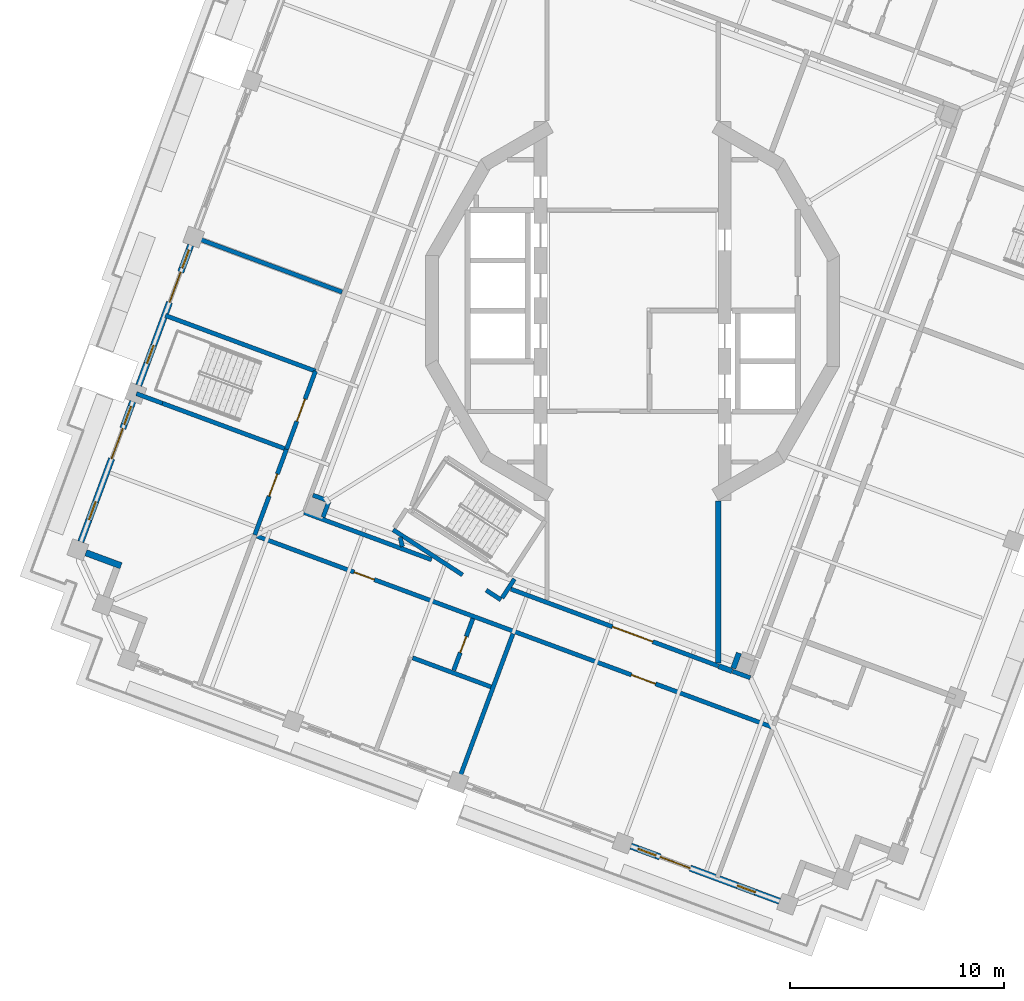
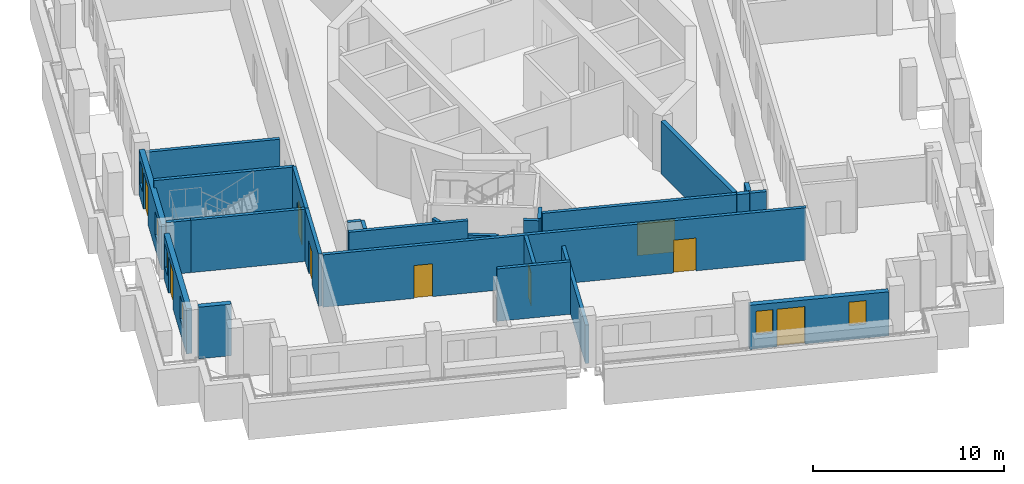
# One storey, part 4 of 18: 26 walls, 9 doors, 6 windows, 15 openings.
"""IFC4 building model written with IfcOpenShell, lengths in metres."""

from ifc_helpers import new_model, si_unit, direction, frame, frame_2d, origin, place, context, subcontext, project, spatial, rectangle, extrude, material, layer, layer_set, type_object, element, fill, save


model = new_model("IFC4")

# Units and contexts
model_context = context("Model", 3, precision=1e-05, world=origin(), true_north=direction((0.0, 1.0)))
body_context = subcontext(model_context, "Body", "Model", "MODEL_VIEW")
ifc_project = project(units=[si_unit("LENGTHUNIT", "METRE"), si_unit("AREAUNIT", "SQUARE_METRE"), si_unit("VOLUMEUNIT", "CUBIC_METRE"), si_unit("PLANEANGLEUNIT", "RADIAN"), si_unit("MASSUNIT", "GRAM", prefix="KILO")], contexts=[model_context])

# Site, building, storey
site_placement = place(None, origin())
site = spatial("IfcSite", under=ifc_project, at=site_placement, CompositionType="ELEMENT")
building_placement = place(site_placement, origin())
building = spatial("IfcBuilding", under=site, at=building_placement, Name="Cantera Rosa Tower", CompositionType="ELEMENT")
storey_placement = place(building_placement, frame((0.0, 0.0, 338.5)))
storey = spatial("IfcBuildingStorey", under=building, at=storey_placement, Name="L76", CompositionType="ELEMENT", Elevation=338.5)

# Wall
ifc_material_1 = material(Name="Gypsum board partition")
ifc_layer_1 = layer(ifc_material_1, 0.199951171875)
ifc_layer_set_1 = layer_set([ifc_layer_1], Name="CORRIDOR WALL 200 H2300")
wall_type_1 = type_object("IfcWallType", Name="CORRIDOR WALL 200 H2300", PredefinedType="PARTITIONING", material=ifc_layer_set_1)
wall_1_placement = place(storey_placement, frame((-11.177490234375, -10.216552734375, 0.0), z_axis=(0.0, 0.0, 1.0), x_axis=(0.83867589464, -0.544630832537, 0.0)))
element("IfcWall", 1, at=wall_1_placement, inside=storey, type_object=wall_type_1, Name="CORRIDOR WALL L76-013", PredefinedType="PARTITIONING", context=body_context, shape_type="SweptSolid", body=[
    extrude(rectangle(XDim=3.864990234375, YDim=0.199951171875, at=frame_2d((1.9326171875, 0.0))), origin(), (0.0, 0.0, 1.0), 2.300048828125),
])

# Wall, openings, doors
ifc_material_2 = material(Name="Gypsum board partition")
ifc_layer_2 = layer(ifc_material_2, 0.199951171875)
ifc_layer_set_2 = layer_set([ifc_layer_2], Name="CORRIDOR WALL 200 H3350")
wall_type_2 = type_object("IfcWallType", Name="CORRIDOR WALL 200 H3350", PredefinedType="PARTITIONING", material=ifc_layer_set_2)
wall_2_placement = place(storey_placement, frame((-17.52587890625, -10.515380859375, 0.0), z_axis=(0.0, 0.0, 1.0), x_axis=(0.937685670384, -0.347484652261, 0.0)))
wall_2 = element("IfcWall", 2, at=wall_2_placement, inside=storey, type_object=wall_type_2, Name="CORRIDOR WALL L76-003", PredefinedType="PARTITIONING", context=body_context, shape_type="SweptSolid", body=[
    extrude(rectangle(XDim=25.679931640625, YDim=0.199951171875, at=frame_2d((12.83984375, 0.0))), origin(), (0.0, 0.0, 1.0), 3.35009765625),
])
opening_1_placement = place(wall_2_placement, frame((18.6298828125, 0.0, 0.0)))
opening_1 = element("IfcOpeningElement", 3, at=opening_1_placement, cuts=wall_2, Name="Opening L76-031", PredefinedType="OPENING", context=body_context, shape_type="SweptSolid", body=[
    extrude(rectangle(XDim=1.199951171875, YDim=2.10009765625, at=frame_2d((0.60009765625, 1.050048828125))), frame((0.0, 0.10986328125, 0.0), z_axis=(0.0, -1.0, 0.0), x_axis=(1.0, 0.0, 0.0)), (0.0, 0.0, 1.0), 0.219970703125),
])
opening_2_placement = place(wall_2_placement, frame((4.830078125, 0.0, 0.0)))
opening_2 = element("IfcOpeningElement", 4, at=opening_2_placement, cuts=wall_2, Name="Opening L76-032", PredefinedType="OPENING", context=body_context, shape_type="SweptSolid", body=[
    extrude(rectangle(XDim=1.0, YDim=2.10009765625, at=frame_2d((0.5, 1.050048828125))), frame((0.0, 0.10986328125, 0.0), z_axis=(0.0, -1.0, 0.0), x_axis=(1.0, 0.0, 0.0)), (0.0, 0.0, 1.0), 0.219970703125),
])
ifc_material_3 = material(Name="Timber door leaf", Category="wood")
door_type_1 = type_object("IfcDoorType", Name="ENTRANCE DOOR 1000x2100", OperationType="NOTDEFINED", PredefinedType="DOOR", material=ifc_material_3)
door_1_placement = place(opening_2_placement, origin())
door_1 = element("IfcDoor", 5, at=door_1_placement, inside=storey, type_object=door_type_1, Name="DOOR L76-032", OperationType="NOTDEFINED", OverallHeight=2.10009765625, OverallWidth=1.0, PredefinedType="DOOR", context=body_context, shape_type="SweptSolid", body=[
    extrude(rectangle(XDim=1.0, YDim=2.10009765625, at=frame_2d((0.5, 1.050048828125))), frame((0.0, 0.02490234375, 0.0), z_axis=(0.0, -1.0, 0.0), x_axis=(1.0, 0.0, 0.0)), (0.0, 0.0, 1.0), 0.050048828125),
])
fill(opening_2, door_1)
ifc_material_4 = material(Name="Timber door leaf", Category="wood")
door_type_2 = type_object("IfcDoorType", Name="ROOM DOOR 1200x2100", OperationType="NOTDEFINED", PredefinedType="DOOR", material=ifc_material_4)
door_2_placement = place(opening_1_placement, origin())
door_2 = element("IfcDoor", 6, at=door_2_placement, inside=storey, type_object=door_type_2, Name="DOOR L76-031", OperationType="NOTDEFINED", OverallHeight=2.10009765625, OverallWidth=1.199951171875, PredefinedType="DOOR", context=body_context, shape_type="SweptSolid", body=[
    extrude(rectangle(XDim=1.199951171875, YDim=2.10009765625, at=frame_2d((0.60009765625, 1.050048828125))), frame((0.0, 0.02490234375, 0.0), z_axis=(0.0, -1.0, 0.0), x_axis=(1.0, 0.0, 0.0)), (0.0, 0.0, 1.0), 0.050048828125),
])
fill(opening_1, door_2)

# Wall, opening, door
wall_3_placement = place(storey_placement, frame((-16.1513671875, -6.460205078125, 0.0), z_axis=(0.0, 0.0, 1.0), x_axis=(-0.347465539693, -0.937692752838, 0.0)))
wall_3 = element("IfcWall", 7, at=wall_3_placement, inside=storey, type_object=wall_type_2, Name="CORRIDOR WALL L76-004", PredefinedType="PARTITIONING", context=body_context, shape_type="SweptSolid", body=[
    extrude(rectangle(XDim=4.260009765625, YDim=0.199951171875, at=frame_2d((2.1298828125, 0.0))), origin(), (0.0, 0.0, 1.0), 3.35009765625),
])
opening_3_placement = place(wall_3_placement, frame((1.22998046875, 0.0, 0.0)))
opening_3 = element("IfcOpeningElement", 8, at=opening_3_placement, cuts=wall_3, Name="Opening L76-030", PredefinedType="OPENING", context=body_context, shape_type="SweptSolid", body=[
    extrude(rectangle(XDim=1.10009765625, YDim=2.10009765625, at=frame_2d((0.550048828125, 1.050048828125))), frame((0.0, 0.10986328125, 0.0), z_axis=(0.0, -1.0, 0.0), x_axis=(1.0, 0.0, 0.0)), (0.0, 0.0, 1.0), 0.219970703125),
])
ifc_material_5 = material(Name="Timber door leaf", Category="wood")
door_type_3 = type_object("IfcDoorType", Name="ROOM DOOR 1100x2100", OperationType="NOTDEFINED", PredefinedType="DOOR", material=ifc_material_5)
door_3_placement = place(opening_3_placement, origin())
door_3 = element("IfcDoor", 9, at=door_3_placement, inside=storey, type_object=door_type_3, Name="DOOR L76-030", OperationType="NOTDEFINED", OverallHeight=2.10009765625, OverallWidth=1.10009765625, PredefinedType="DOOR", context=body_context, shape_type="SweptSolid", body=[
    extrude(rectangle(XDim=1.10009765625, YDim=2.10009765625, at=frame_2d((0.550048828125, 1.050048828125))), frame((0.0, 0.02490234375, 0.0), z_axis=(0.0, -1.0, 0.0), x_axis=(1.0, 0.0, 0.0)), (0.0, 0.0, 1.0), 0.050048828125),
])
fill(opening_3, door_3)

# Walls
wall_4_placement = place(storey_placement, frame((-15.3251953125, -9.4111328125, 0.0), z_axis=(0.0, 0.0, 1.0), x_axis=(0.937682798528, -0.347492401852, 0.0)))
element("IfcWall", 10, at=wall_4_placement, inside=storey, type_object=wall_type_2, Name="CORRIDOR WALL L76-006", PredefinedType="PARTITIONING", context=body_context, shape_type="SweptSolid", body=[
    extrude(rectangle(XDim=6.341552734375, YDim=0.199951171875, at=frame_2d((3.1708984375, 0.0))), origin(), (0.0, 0.0, 1.0), 3.35009765625),
])
wall_5_placement = place(storey_placement, frame((-6.83251953125, -13.038330078125, 0.0), z_axis=(0.0, 0.0, 1.0), x_axis=(0.838593374038, -0.54475788477, 0.0)))
element("IfcWall", 11, at=wall_5_placement, inside=storey, type_object=wall_type_2, Name="CORRIDOR WALL L76-014", PredefinedType="PARTITIONING", context=body_context, shape_type="SweptSolid", body=[
    extrude(rectangle(XDim=0.8193359375, YDim=0.199951171875, at=frame_2d((0.40966796875, 0.0))), origin(), (0.0, 0.0, 1.0), 3.35009765625),
])
wall_6_placement = place(storey_placement, frame((-6.091064453125, -13.400634765625, 0.0), z_axis=(0.0, 0.0, 1.0), x_axis=(0.544599121385, 0.838696486809, 0.0)))
element("IfcWall", 12, at=wall_6_placement, inside=storey, type_object=wall_type_2, Name="CORRIDOR WALL L76-033", PredefinedType="PARTITIONING", context=body_context, shape_type="SweptSolid", body=[
    extrude(rectangle(XDim=1.058349609375, YDim=0.199951171875, at=frame_2d((0.529296875, 0.0))), origin(), (0.0, 0.0, 1.0), 3.35009765625),
])

# Wall, opening, door
wall_7_placement = place(storey_placement, frame((-5.681396484375, -12.98486328125, 0.0), z_axis=(0.0, 0.0, 1.0), x_axis=(0.937687420186, -0.347479930391, 0.0)))
wall_7 = element("IfcWall", 13, at=wall_7_placement, inside=storey, type_object=wall_type_2, Name="CORRIDOR WALL L76-036", PredefinedType="PARTITIONING", context=body_context, shape_type="SweptSolid", body=[
    extrude(rectangle(XDim=10.32470703125, YDim=0.199951171875, at=frame_2d((5.162353515625, 0.0))), origin(), (0.0, 0.0, 1.0), 3.35009765625),
])
opening_4_placement = place(wall_7_placement, frame((5.05908203125, 0.0, 0.0)))
opening_4 = element("IfcOpeningElement", 14, at=opening_4_placement, cuts=wall_7, Name="Opening L76-011", PredefinedType="OPENING", context=body_context, shape_type="SweptSolid", body=[
    extrude(rectangle(XDim=2.0, YDim=2.10009765625, at=frame_2d((1.0, 1.050048828125))), frame((0.0, 0.10986328125, 0.0), z_axis=(0.0, -1.0, 0.0), x_axis=(1.0, 0.0, 0.0)), (0.0, 0.0, 1.0), 0.219970703125),
])
ifc_material_6 = material(Name="Steel S355J2 (EN 10025-2)", Category="steel")
door_type_4 = type_object("IfcDoorType", Name="LOBBY SCREEN DOOR 2000x2100", OperationType="NOTDEFINED", PredefinedType="DOOR", material=ifc_material_6)
door_4_placement = place(opening_4_placement, origin())
door_4 = element("IfcDoor", 15, at=door_4_placement, inside=storey, type_object=door_type_4, Name="DOOR L76-011", OperationType="NOTDEFINED", OverallHeight=2.10009765625, OverallWidth=2.0, PredefinedType="DOOR", context=body_context, shape_type="SweptSolid", body=[
    extrude(rectangle(XDim=2.0, YDim=2.10009765625, at=frame_2d((1.0, 1.050048828125))), frame((0.0, 0.02490234375, 0.0), z_axis=(0.0, -1.0, 0.0), x_axis=(1.0, 0.0, 0.0)), (0.0, 0.0, 1.0), 0.050048828125),
])
fill(opening_4, door_4)

# Walls
wall_8_placement = place(storey_placement, frame((4.666259765625, -16.819580078125, 0.0), z_axis=(0.0, 0.0, 1.0), x_axis=(0.937735373465, -0.347350499283, 0.0)))
element("IfcWall", 16, at=wall_8_placement, inside=storey, type_object=wall_type_2, Name="CORRIDOR WALL L76-062", PredefinedType="PARTITIONING", context=body_context, shape_type="SweptSolid", body=[
    extrude(rectangle(XDim=0.8798828125, YDim=0.199951171875, at=frame_2d((0.43994140625, 0.0))), origin(), (0.0, 0.0, 1.0), 3.35009765625),
])
ifc_material_7 = material(Name="Hollow clay masonry with cantera stone cladding", Category="masonry")
ifc_layer_3 = layer(ifc_material_7, 0.300048828125)
ifc_layer_set_3 = layer_set([ifc_layer_3], Name="EW-LOGGIA 300")
wall_type_3 = type_object("IfcWallType", Name="EW-LOGGIA 300", PredefinedType="SOLIDWALL", material=ifc_layer_set_3)
wall_9_placement = place(storey_placement, frame((-25.51220703125, -11.288330078125, 0.0), z_axis=(0.0, 0.0, 1.0), x_axis=(0.937669639538, -0.34752790836, 0.0)))
element("IfcWall", 17, at=wall_9_placement, inside=storey, type_object=wall_type_3, Name="EN-L76-W12a", PredefinedType="SOLIDWALL", context=body_context, shape_type="SweptSolid", body=[
    extrude(rectangle(XDim=1.75, YDim=0.300048828125, at=frame_2d((0.875, 0.0))), origin(), (0.0, 0.0, 1.0), 3.300048828125),
])

# Wall, openings, windows, door
ifc_material_8 = material(Name="Hollow clay masonry with cantera stone cladding", Category="masonry")
ifc_layer_4 = layer(ifc_material_8, 0.300048828125)
ifc_layer_set_4 = layer_set([ifc_layer_4], Name="EW-LOGGIA 300 H2820")
wall_type_4 = type_object("IfcWallType", Name="EW-LOGGIA 300 H2820", PredefinedType="SOLIDWALL", material=ifc_layer_set_4)
wall_10_placement = place(storey_placement, frame((-0.084228515625, -24.97705078125, 0.0), z_axis=(0.0, 0.0, 1.0), x_axis=(0.937687456783, -0.347479831633, 0.0)))
wall_10 = element("IfcWall", 18, at=wall_10_placement, inside=storey, type_object=wall_type_4, Name="EN-L76-W17", PredefinedType="SOLIDWALL", context=body_context, shape_type="SweptSolid", body=[
    extrude(rectangle(XDim=7.39990234375, YDim=0.300048828125, at=frame_2d((3.699951171875, 0.0))), origin(), (0.0, 0.0, 1.0), 2.820068359375),
])
opening_5_placement = place(wall_10_placement, frame((0.35009765625, 0.0, 0.89990234375)))
opening_5 = element("IfcOpeningElement", 19, at=opening_5_placement, cuts=wall_10, Name="Opening L76-W37", PredefinedType="OPENING", context=body_context, shape_type="SweptSolid", body=[
    extrude(rectangle(XDim=0.89990234375, YDim=1.5, at=frame_2d((0.449951171875, 0.75))), frame((0.0, 0.159912109375, 0.0), z_axis=(0.0, -1.0, 0.0), x_axis=(1.0, 0.0, 0.0)), (0.0, 0.0, 1.0), 0.320068359375),
])
opening_6_placement = place(wall_10_placement, frame((1.449951171875, 0.0, 0.0)))
opening_6 = element("IfcOpeningElement", 20, at=opening_6_placement, cuts=wall_10, Name="Opening L76-TD38", PredefinedType="OPENING", context=body_context, shape_type="SweptSolid", body=[
    extrude(rectangle(XDim=1.5, YDim=2.39990234375, at=frame_2d((0.75, 1.199951171875))), frame((0.0, 0.159912109375, 0.0), z_axis=(0.0, -1.0, 0.0), x_axis=(1.0, 0.0, 0.0)), (0.0, 0.0, 1.0), 0.320068359375),
])
opening_7_placement = place(wall_10_placement, frame((5.300048828125, 0.0, 0.89990234375)))
opening_7 = element("IfcOpeningElement", 21, at=opening_7_placement, cuts=wall_10, Name="Opening L76-W39", PredefinedType="OPENING", context=body_context, shape_type="SweptSolid", body=[
    extrude(rectangle(XDim=0.89990234375, YDim=1.5, at=frame_2d((0.449951171875, 0.75))), frame((0.0, 0.159912109375, 0.0), z_axis=(0.0, -1.0, 0.0), x_axis=(1.0, 0.0, 0.0)), (0.0, 0.0, 1.0), 0.320068359375),
])
ifc_material_9 = material(Name="Aluminium frame with clear glass", Category="aluminium")
window_type = type_object("IfcWindowType", Name="Residential window 900x1500", PartitioningType="SINGLE_PANEL", PredefinedType="WINDOW", material=ifc_material_9)
window_1_placement = place(opening_5_placement, origin())
window_1 = element("IfcWindow", 22, at=window_1_placement, inside=storey, type_object=window_type, Name="WINDOW L76-W37", OverallHeight=1.5, OverallWidth=0.89990234375, PartitioningType="SINGLE_PANEL", PredefinedType="WINDOW", context=body_context, shape_type="SweptSolid", body=[
    extrude(rectangle(XDim=0.89990234375, YDim=1.5, at=frame_2d((0.449951171875, 0.75))), frame((0.0, 0.030029296875, 0.0), z_axis=(0.0, -1.0, 0.0), x_axis=(1.0, 0.0, 0.0)), (0.0, 0.0, 1.0), 0.06005859375),
])
fill(opening_5, window_1)
window_2_placement = place(opening_7_placement, origin())
window_2 = element("IfcWindow", 23, at=window_2_placement, inside=storey, type_object=window_type, Name="WINDOW L76-W39", OverallHeight=1.5, OverallWidth=0.89990234375, PartitioningType="SINGLE_PANEL", PredefinedType="WINDOW", context=body_context, shape_type="SweptSolid", body=[
    extrude(rectangle(XDim=0.89990234375, YDim=1.5, at=frame_2d((0.449951171875, 0.75))), frame((0.0, 0.030029296875, 0.0), z_axis=(0.0, -1.0, 0.0), x_axis=(1.0, 0.0, 0.0)), (0.0, 0.0, 1.0), 0.06005859375),
])
fill(opening_7, window_2)
ifc_material_10 = material(Name="Aluminium frame with clear glass", Category="aluminium")
door_type_5 = type_object("IfcDoorType", Name="TD-R 1500x2400", OperationType="NOTDEFINED", PredefinedType="DOOR", material=ifc_material_10)
door_5_placement = place(opening_6_placement, origin())
door_5 = element("IfcDoor", 24, at=door_5_placement, inside=storey, type_object=door_type_5, Name="LOGGIA DOOR L76-TD38", OperationType="SLIDING_TO_LEFT", OverallHeight=2.39990234375, OverallWidth=1.5, PredefinedType="DOOR", context=body_context, shape_type="SweptSolid", body=[
    extrude(rectangle(XDim=1.5, YDim=2.39990234375, at=frame_2d((0.75, 1.199951171875))), frame((0.0, 0.02490234375, 0.0), z_axis=(0.0, -1.0, 0.0), x_axis=(1.0, 0.0, 0.0)), (0.0, 0.0, 1.0), 0.050048828125),
])
fill(opening_6, door_5)

ifc_material_11 = material(Name="Hollow clay masonry with cantera stone cladding", Category="masonry")
ifc_layer_5 = layer(ifc_material_11, 0.300048828125)
ifc_layer_set_5 = layer_set([ifc_layer_5], Name="EW-LOGGIA 300 H2890")
wall_type_5 = type_object("IfcWallType", Name="EW-LOGGIA 300 H2890", PredefinedType="SOLIDWALL", material=ifc_layer_set_5)
wall_11_placement = place(storey_placement, frame((-20.61962890625, 3.06591796875, 0.0), z_axis=(0.0, 0.0, 1.0), x_axis=(-0.347471562124, -0.937690521182, 0.0)))
wall_11 = element("IfcWall", 25, at=wall_11_placement, inside=storey, type_object=wall_type_5, Name="EN-L76-W10", PredefinedType="SOLIDWALL", context=body_context, shape_type="SweptSolid", body=[
    extrude(rectangle(XDim=6.979736328125, YDim=0.300048828125, at=frame_2d((3.48974609375, 0.0))), origin(), (0.0, 0.0, 1.0), 2.889892578125),
])
opening_8_placement = place(wall_11_placement, frame((0.2451171875, 0.0, 0.89990234375)))
opening_8 = element("IfcOpeningElement", 26, at=opening_8_placement, cuts=wall_11, Name="Opening L76-W22", PredefinedType="OPENING", context=body_context, shape_type="SweptSolid", body=[
    extrude(rectangle(XDim=0.89990234375, YDim=1.5, at=frame_2d((0.449951171875, 0.75))), frame((0.0, 0.159912109375, 0.0), z_axis=(0.0, -1.0, 0.0), x_axis=(1.0, 0.0, 0.0)), (0.0, 0.0, 1.0), 0.320068359375),
])
opening_9_placement = place(wall_11_placement, frame((1.344970703125, 0.0, 0.0)))
opening_9 = element("IfcOpeningElement", 27, at=opening_9_placement, cuts=wall_11, Name="Opening L76-TD23", PredefinedType="OPENING", context=body_context, shape_type="SweptSolid", body=[
    extrude(rectangle(XDim=1.5, YDim=2.39990234375, at=frame_2d((0.75, 1.199951171875))), frame((0.0, 0.159912109375, 0.0), z_axis=(0.0, -1.0, 0.0), x_axis=(1.0, 0.0, 0.0)), (0.0, 0.0, 1.0), 0.320068359375),
])
opening_10_placement = place(wall_11_placement, frame((4.985107421875, 0.0, 0.89990234375)))
opening_10 = element("IfcOpeningElement", 28, at=opening_10_placement, cuts=wall_11, Name="Opening L76-W24", PredefinedType="OPENING", context=body_context, shape_type="SweptSolid", body=[
    extrude(rectangle(XDim=0.89990234375, YDim=1.5, at=frame_2d((0.449951171875, 0.75))), frame((0.0, 0.159912109375, 0.0), z_axis=(0.0, -1.0, 0.0), x_axis=(1.0, 0.0, 0.0)), (0.0, 0.0, 1.0), 0.320068359375),
])
window_3_placement = place(opening_8_placement, origin())
window_3 = element("IfcWindow", 29, at=window_3_placement, inside=storey, type_object=window_type, Name="WINDOW L76-W22", OverallHeight=1.5, OverallWidth=0.89990234375, PartitioningType="SINGLE_PANEL", PredefinedType="WINDOW", context=body_context, shape_type="SweptSolid", body=[
    extrude(rectangle(XDim=0.89990234375, YDim=1.5, at=frame_2d((0.449951171875, 0.75))), frame((0.0, 0.030029296875, 0.0), z_axis=(0.0, -1.0, 0.0), x_axis=(1.0, 0.0, 0.0)), (0.0, 0.0, 1.0), 0.06005859375),
])
fill(opening_8, window_3)
window_4_placement = place(opening_10_placement, origin())
window_4 = element("IfcWindow", 30, at=window_4_placement, inside=storey, type_object=window_type, Name="WINDOW L76-W24", OverallHeight=1.5, OverallWidth=0.89990234375, PartitioningType="SINGLE_PANEL", PredefinedType="WINDOW", context=body_context, shape_type="SweptSolid", body=[
    extrude(rectangle(XDim=0.89990234375, YDim=1.5, at=frame_2d((0.449951171875, 0.75))), frame((0.0, 0.030029296875, 0.0), z_axis=(0.0, -1.0, 0.0), x_axis=(1.0, 0.0, 0.0)), (0.0, 0.0, 1.0), 0.06005859375),
])
fill(opening_10, window_4)
door_6_placement = place(opening_9_placement, origin())
door_6 = element("IfcDoor", 31, at=door_6_placement, inside=storey, type_object=door_type_5, Name="LOGGIA DOOR L76-TD23", OperationType="SLIDING_TO_LEFT", OverallHeight=2.39990234375, OverallWidth=1.5, PredefinedType="DOOR", context=body_context, shape_type="SweptSolid", body=[
    extrude(rectangle(XDim=1.5, YDim=2.39990234375, at=frame_2d((0.75, 1.199951171875))), frame((0.0, 0.02490234375, 0.0), z_axis=(0.0, -1.0, 0.0), x_axis=(1.0, 0.0, 0.0)), (0.0, 0.0, 1.0), 0.050048828125),
])
fill(opening_9, door_6)

wall_12_placement = place(storey_placement, frame((-23.322998046875, -4.229248046875, 0.0), z_axis=(0.0, 0.0, 1.0), x_axis=(-0.347460165909, -0.937694744097, 0.0)))
wall_12 = element("IfcWall", 32, at=wall_12_placement, inside=storey, type_object=wall_type_5, Name="EN-L76-W11", PredefinedType="SOLIDWALL", context=body_context, shape_type="SweptSolid", body=[
    extrude(rectangle(XDim=6.97998046875, YDim=0.300048828125, at=frame_2d((3.489990234375, 0.0))), origin(), (0.0, 0.0, 1.0), 2.889892578125),
])
opening_11_placement = place(wall_12_placement, frame((0.2451171875, 0.0, 0.89990234375)))
opening_11 = element("IfcOpeningElement", 33, at=opening_11_placement, cuts=wall_12, Name="Opening L76-W25", PredefinedType="OPENING", context=body_context, shape_type="SweptSolid", body=[
    extrude(rectangle(XDim=0.89990234375, YDim=1.5, at=frame_2d((0.449951171875, 0.75))), frame((0.0, 0.159912109375, 0.0), z_axis=(0.0, -1.0, 0.0), x_axis=(1.0, 0.0, 0.0)), (0.0, 0.0, 1.0), 0.320068359375),
])
opening_12_placement = place(wall_12_placement, frame((1.344970703125, 0.0, 0.0)))
opening_12 = element("IfcOpeningElement", 34, at=opening_12_placement, cuts=wall_12, Name="Opening L76-TD26", PredefinedType="OPENING", context=body_context, shape_type="SweptSolid", body=[
    extrude(rectangle(XDim=1.5, YDim=2.39990234375, at=frame_2d((0.75, 1.199951171875))), frame((0.0, 0.159912109375, 0.0), z_axis=(0.0, -1.0, 0.0), x_axis=(1.0, 0.0, 0.0)), (0.0, 0.0, 1.0), 0.320068359375),
])
opening_13_placement = place(wall_12_placement, frame((4.985107421875, 0.0, 0.89990234375)))
opening_13 = element("IfcOpeningElement", 35, at=opening_13_placement, cuts=wall_12, Name="Opening L76-W27", PredefinedType="OPENING", context=body_context, shape_type="SweptSolid", body=[
    extrude(rectangle(XDim=0.89990234375, YDim=1.5, at=frame_2d((0.449951171875, 0.75))), frame((0.0, 0.159912109375, 0.0), z_axis=(0.0, -1.0, 0.0), x_axis=(1.0, 0.0, 0.0)), (0.0, 0.0, 1.0), 0.320068359375),
])
window_5_placement = place(opening_11_placement, origin())
window_5 = element("IfcWindow", 36, at=window_5_placement, inside=storey, type_object=window_type, Name="WINDOW L76-W25", OverallHeight=1.5, OverallWidth=0.89990234375, PartitioningType="SINGLE_PANEL", PredefinedType="WINDOW", context=body_context, shape_type="SweptSolid", body=[
    extrude(rectangle(XDim=0.89990234375, YDim=1.5, at=frame_2d((0.449951171875, 0.75))), frame((0.0, 0.030029296875, 0.0), z_axis=(0.0, -1.0, 0.0), x_axis=(1.0, 0.0, 0.0)), (0.0, 0.0, 1.0), 0.06005859375),
])
fill(opening_11, window_5)
window_6_placement = place(opening_13_placement, origin())
window_6 = element("IfcWindow", 37, at=window_6_placement, inside=storey, type_object=window_type, Name="WINDOW L76-W27", OverallHeight=1.5, OverallWidth=0.89990234375, PartitioningType="SINGLE_PANEL", PredefinedType="WINDOW", context=body_context, shape_type="SweptSolid", body=[
    extrude(rectangle(XDim=0.89990234375, YDim=1.5, at=frame_2d((0.449951171875, 0.75))), frame((0.0, 0.030029296875, 0.0), z_axis=(0.0, -1.0, 0.0), x_axis=(1.0, 0.0, 0.0)), (0.0, 0.0, 1.0), 0.06005859375),
])
fill(opening_13, window_6)
door_7_placement = place(opening_12_placement, origin())
door_7 = element("IfcDoor", 38, at=door_7_placement, inside=storey, type_object=door_type_5, Name="LOGGIA DOOR L76-TD26", OperationType="SLIDING_TO_LEFT", OverallHeight=2.39990234375, OverallWidth=1.5, PredefinedType="DOOR", context=body_context, shape_type="SweptSolid", body=[
    extrude(rectangle(XDim=1.5, YDim=2.39990234375, at=frame_2d((0.75, 1.199951171875))), frame((0.0, 0.02490234375, 0.0), z_axis=(0.0, -1.0, 0.0), x_axis=(1.0, 0.0, 0.0)), (0.0, 0.0, 1.0), 0.050048828125),
])
fill(opening_12, door_7)

# Walls
ifc_material_12 = material(Name="Gypsum board partition")
ifc_layer_6 = layer(ifc_material_12, 0.199951171875)
ifc_layer_set_6 = layer_set([ifc_layer_6], Name="PARTITION 200 H2450")
wall_type_6 = type_object("IfcWallType", Name="PARTITION 200 H2450", PredefinedType="PARTITIONING", material=ifc_layer_set_6)
wall_13_placement = place(storey_placement, frame((-13.560302734375, 0.876708984375, 0.0), z_axis=(0.0, 0.0, 1.0), x_axis=(-0.937689847803, 0.347473379308, 0.0)))
element("IfcWall", 39, at=wall_13_placement, inside=storey, type_object=wall_type_6, Name="PARTITION L76-011", PredefinedType="PARTITIONING", context=body_context, shape_type="SweptSolid", body=[
    extrude(rectangle(XDim=7.35009765625, YDim=0.199951171875, at=frame_2d((3.675048828125, 0.0))), origin(), (0.0, 0.0, 1.0), 2.449951171875),
])
ifc_material_13 = material(Name="Gypsum board partition")
ifc_layer_7 = layer(ifc_material_13, 0.199951171875)
ifc_layer_set_7 = layer_set([ifc_layer_7], Name="PARTITION 200 H3350")
wall_type_7 = type_object("IfcWallType", Name="PARTITION 200 H3350", PredefinedType="PARTITIONING", material=ifc_layer_set_7)
wall_14_placement = place(storey_placement, frame((-14.446533203125, -9.630126953125, 0.0), z_axis=(0.0, 0.0, 1.0), x_axis=(0.347542916853, 0.937664076813, 0.0)))
element("IfcWall", 40, at=wall_14_placement, inside=storey, type_object=wall_type_7, Name="PARTITION L76-009", PredefinedType="PARTITIONING", context=body_context, shape_type="SweptSolid", body=[
    extrude(rectangle(XDim=0.800048828125, YDim=0.199951171875, at=frame_2d((0.39990234375, 0.0))), origin(), (0.0, 0.0, 1.0), 3.35009765625),
])
wall_15_placement = place(storey_placement, frame((-14.26220703125, -8.84521484375, 0.0), z_axis=(0.0, 0.0, 1.0), x_axis=(-0.937740347131, 0.347337071678, 0.0)))
element("IfcWall", 41, at=wall_15_placement, inside=storey, type_object=wall_type_7, Name="PARTITION L76-010", PredefinedType="PARTITIONING", context=body_context, shape_type="SweptSolid", body=[
    extrude(rectangle(XDim=0.7001953125, YDim=0.199951171875, at=frame_2d((0.35009765625, 0.0))), origin(), (0.0, 0.0, 1.0), 3.35009765625),
])
wall_16_placement = place(storey_placement, frame((-10.848876953125, -10.569580078125, 0.0), z_axis=(0.0, 0.0, 1.0), x_axis=(0.236211728169, -0.971701610308, 0.0)))
element("IfcWall", 42, at=wall_16_placement, inside=storey, type_object=wall_type_7, Name="PARTITION L76-016", PredefinedType="PARTITIONING", context=body_context, shape_type="SweptSolid", body=[
    extrude(rectangle(XDim=0.445556640625, YDim=0.199951171875, at=frame_2d((0.22265625, 0.0))), origin(), (0.0, 0.0, 1.0), 3.35009765625),
])
wall_17_placement = place(storey_placement, frame((-10.26611328125, -16.191650390625, 0.0), z_axis=(0.0, 0.0, 1.0), x_axis=(0.93769060639, -0.347471332181, 0.0)))
element("IfcWall", 43, at=wall_17_placement, inside=storey, type_object=wall_type_7, Name="PARTITION L76-019", PredefinedType="PARTITIONING", context=body_context, shape_type="SweptSolid", body=[
    extrude(rectangle(XDim=3.900146484375, YDim=0.199951171875, at=frame_2d((1.9501953125, 0.0))), origin(), (0.0, 0.0, 1.0), 3.35009765625),
])

# Wall, opening, door
wall_18_placement = place(storey_placement, frame((-8.348876953125, -16.774169921875, 0.0), z_axis=(0.0, 0.0, 1.0), x_axis=(0.34748078016, 0.937687105286, 0.0)))
wall_18 = element("IfcWall", 44, at=wall_18_placement, inside=storey, type_object=wall_type_7, Name="PARTITION L76-024", PredefinedType="PARTITIONING", context=body_context, shape_type="SweptSolid", body=[
    extrude(rectangle(XDim=2.579833984375, YDim=0.199951171875, at=frame_2d((1.2900390625, 0.0))), origin(), (0.0, 0.0, 1.0), 3.35009765625),
])
opening_14_placement = place(wall_18_placement, frame((0.8798828125, 0.0, 0.0)))
opening_14 = element("IfcOpeningElement", 45, at=opening_14_placement, cuts=wall_18, Name="Opening L76-033", PredefinedType="OPENING", context=body_context, shape_type="SweptSolid", body=[
    extrude(rectangle(XDim=0.800048828125, YDim=2.10009765625, at=frame_2d((0.39990234375, 1.050048828125))), frame((0.0, 0.10986328125, 0.0), z_axis=(0.0, -1.0, 0.0), x_axis=(1.0, 0.0, 0.0)), (0.0, 0.0, 1.0), 0.219970703125),
])
ifc_material_14 = material(Name="Timber door leaf", Category="wood")
door_type_6 = type_object("IfcDoorType", Name="BATHROOM DOOR 800x2100", OperationType="NOTDEFINED", PredefinedType="DOOR", material=ifc_material_14)
door_8_placement = place(opening_14_placement, origin())
door_8 = element("IfcDoor", 46, at=door_8_placement, inside=storey, type_object=door_type_6, Name="DOOR L76-033", OperationType="NOTDEFINED", OverallHeight=2.10009765625, OverallWidth=0.800048828125, PredefinedType="DOOR", context=body_context, shape_type="SweptSolid", body=[
    extrude(rectangle(XDim=0.800048828125, YDim=2.10009765625, at=frame_2d((0.39990234375, 1.050048828125))), frame((0.0, 0.02490234375, 0.0), z_axis=(0.0, -1.0, 0.0), x_axis=(1.0, 0.0, 0.0)), (0.0, 0.0, 1.0), 0.050048828125),
])
fill(opening_14, door_8)

# Walls
ifc_material_15 = material(Name="Gypsum board partition")
ifc_layer_8 = layer(ifc_material_15, 0.199951171875)
ifc_layer_set_8 = layer_set([ifc_layer_8], Name="PARTY WALL 200 H2450")
wall_type_8 = type_object("IfcWallType", Name="PARTY WALL 200 H2450", PredefinedType="PARTITIONING", material=ifc_layer_set_8)
wall_19_placement = place(storey_placement, frame((-5.583984375, -15.068603515625, 0.0), z_axis=(0.0, 0.0, 1.0), x_axis=(-0.347473379308, -0.937689847803, 0.0)))
element("IfcWall", 47, at=wall_19_placement, inside=storey, type_object=wall_type_8, Name="PARTY WALL L76-038", PredefinedType="PARTITIONING", context=body_context, shape_type="SweptSolid", body=[
    extrude(rectangle(XDim=7.35009765625, YDim=0.199951171875, at=frame_2d((3.675048828125, 0.0))), origin(), (0.0, 0.0, 1.0), 2.449951171875),
])
ifc_material_16 = material(Name="Masonry blockwork", Category="masonry")
ifc_layer_9 = layer(ifc_material_16, 0.25)
ifc_layer_set_9 = layer_set([ifc_layer_9], Name="SHAFT WALL 250 H3350")
wall_type_9 = type_object("IfcWallType", Name="SHAFT WALL 250 H3350", PredefinedType="SOLIDWALL", material=ifc_layer_set_9)
wall_20_placement = place(storey_placement, frame((4.0, -16.4326171875, 0.0), z_axis=(0.0, 0.0, 1.0), x_axis=(0.0, 1.0, 0.0)))
element("IfcWall", 48, at=wall_20_placement, inside=storey, type_object=wall_type_9, Name="SHAFT WALL L76-057", PredefinedType="SOLIDWALL", context=body_context, shape_type="SweptSolid", body=[
    extrude(rectangle(XDim=7.5537109375, YDim=0.25, at=frame_2d((3.77685546875, 0.0))), origin(), (0.0, 0.0, 1.0), 3.35009765625),
])
wall_21_placement = place(storey_placement, frame((4.018798828125, -16.57958984375, 0.0), z_axis=(0.0, 0.0, 1.0), x_axis=(0.937713613764, -0.347409237876, 0.0)))
element("IfcWall", 49, at=wall_21_placement, inside=storey, type_object=wall_type_9, Name="SHAFT WALL L76-058", PredefinedType="SOLIDWALL", context=body_context, shape_type="SweptSolid", body=[
    extrude(rectangle(XDim=0.67041015625, YDim=0.25, at=frame_2d((0.335205078125, 0.0))), origin(), (0.0, 0.0, 1.0), 3.35009765625),
])
wall_22_placement = place(storey_placement, frame((4.960205078125, -15.96875, 0.0), z_axis=(0.0, 0.0, 1.0), x_axis=(-0.347282965849, -0.937760386043, 0.0)))
element("IfcWall", 50, at=wall_22_placement, inside=storey, type_object=wall_type_9, Name="SHAFT WALL L76-064", PredefinedType="SOLIDWALL", context=body_context, shape_type="SweptSolid", body=[
    extrude(rectangle(XDim=0.760009765625, YDim=0.25, at=frame_2d((0.3798828125, 0.0))), origin(), (0.0, 0.0, 1.0), 3.35009765625),
])
ifc_material_17 = material(Name="Concrete C50/60", Category="concrete")
ifc_layer_10 = layer(ifc_material_17, 0.199951171875)
ifc_layer_set_10 = layer_set([ifc_layer_10], Name="STAIR WALL 200 H3350")
wall_type_10 = type_object("IfcWallType", Name="STAIR WALL 200 H3350", PredefinedType="SOLIDWALL", material=ifc_layer_set_10)
wall_23_placement = place(storey_placement, frame((-23.15576171875, -3.864501953125, 0.0), z_axis=(0.0, 0.0, 1.0), x_axis=(0.937642248704, -0.347601802994, 0.0)))
element("IfcWall", 51, at=wall_23_placement, inside=storey, type_object=wall_type_10, Name="STAIR WALL L76-001", PredefinedType="SOLIDWALL", context=body_context, shape_type="SweptSolid", body=[
    extrude(rectangle(XDim=1.300048828125, YDim=0.199951171875, at=frame_2d((0.64990234375, 0.0))), origin(), (0.0, 0.0, 1.0), 3.35009765625),
])

# Wall, opening, door
wall_24_placement = place(storey_placement, frame((-16.1513671875, -6.460205078125, 0.0), z_axis=(0.0, 0.0, 1.0), x_axis=(0.347516717491, 0.937673787126, 0.0)))
wall_24 = element("IfcWall", 52, at=wall_24_placement, inside=storey, type_object=wall_type_10, Name="STAIR WALL L76-005", PredefinedType="SOLIDWALL", context=body_context, shape_type="SweptSolid", body=[
    extrude(rectangle(XDim=3.889892578125, YDim=0.199951171875, at=frame_2d((1.94482421875, 0.0))), origin(), (0.0, 0.0, 1.0), 3.35009765625),
])
opening_15_placement = place(wall_24_placement, frame((1.39501953125, 0.0, 0.0)))
opening_15 = element("IfcOpeningElement", 53, at=opening_15_placement, cuts=wall_24, Name="Opening L76-003", PredefinedType="OPENING", context=body_context, shape_type="SweptSolid", body=[
    extrude(rectangle(XDim=1.10009765625, YDim=2.10009765625, at=frame_2d((0.550048828125, 1.050048828125))), frame((0.0, 0.10986328125, 0.0), z_axis=(0.0, -1.0, 0.0), x_axis=(1.0, 0.0, 0.0)), (0.0, 0.0, 1.0), 0.219970703125),
])
ifc_material_18 = material(Name="Steel S355J2 (EN 10025-2)", Category="steel")
door_type_7 = type_object("IfcDoorType", Name="STAIR DOOR 1100x2100", OperationType="NOTDEFINED", PredefinedType="DOOR", material=ifc_material_18)
door_9_placement = place(opening_15_placement, origin())
door_9 = element("IfcDoor", 54, at=door_9_placement, inside=storey, type_object=door_type_7, Name="DOOR L76-003", OperationType="NOTDEFINED", OverallHeight=2.10009765625, OverallWidth=1.10009765625, PredefinedType="DOOR", context=body_context, shape_type="SweptSolid", body=[
    extrude(rectangle(XDim=1.10009765625, YDim=2.10009765625, at=frame_2d((0.550048828125, 1.050048828125))), frame((0.0, 0.02490234375, 0.0), z_axis=(0.0, -1.0, 0.0), x_axis=(1.0, 0.0, 0.0)), (0.0, 0.0, 1.0), 0.050048828125),
])
fill(opening_15, door_9)

# Walls
wall_25_placement = place(storey_placement, frame((-14.799560546875, -2.812744140625, 0.0), z_axis=(0.0, 0.0, 1.0), x_axis=(-0.93768803379, 0.347478274555, 0.0)))
element("IfcWall", 55, at=wall_25_placement, inside=storey, type_object=wall_type_10, Name="STAIR WALL L76-008", PredefinedType="SOLIDWALL", context=body_context, shape_type="SweptSolid", body=[
    extrude(rectangle(XDim=7.47021484375, YDim=0.199951171875, at=frame_2d((3.735107421875, 0.0))), origin(), (0.0, 0.0, 1.0), 3.35009765625),
])
wall_26_placement = place(storey_placement, frame((-21.936767578125, -4.31640625, 0.0), z_axis=(0.0, 0.0, 1.0), x_axis=(0.937692901762, -0.347465137797, 0.0)))
element("IfcWall", 56, at=wall_26_placement, inside=storey, type_object=wall_type_10, Name="STAIR WALL L76-001 J", PredefinedType="SOLIDWALL", context=body_context, shape_type="SweptSolid", body=[
    extrude(rectangle(XDim=6.169921875, YDim=0.199951171875, at=frame_2d((3.0849609375, 0.0))), origin(), (0.0, 0.0, 1.0), 3.35009765625),
])

save(model, "model.ifc")
